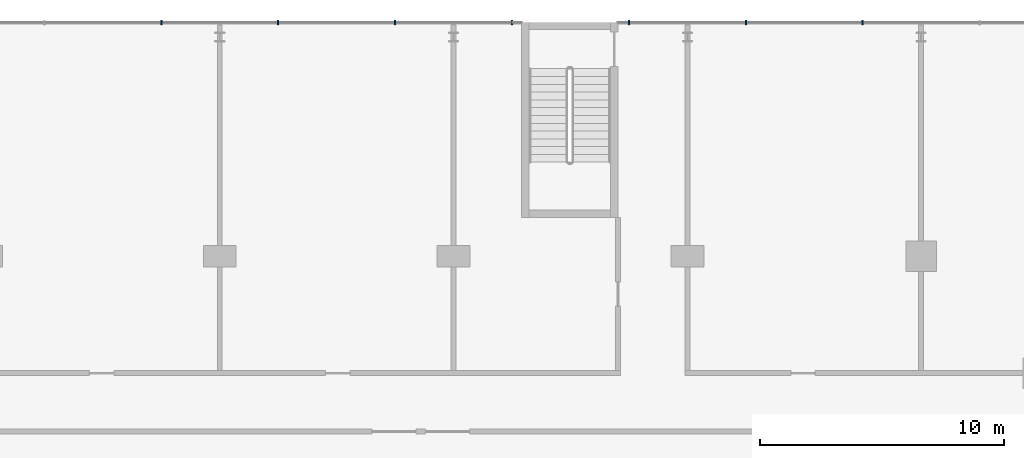
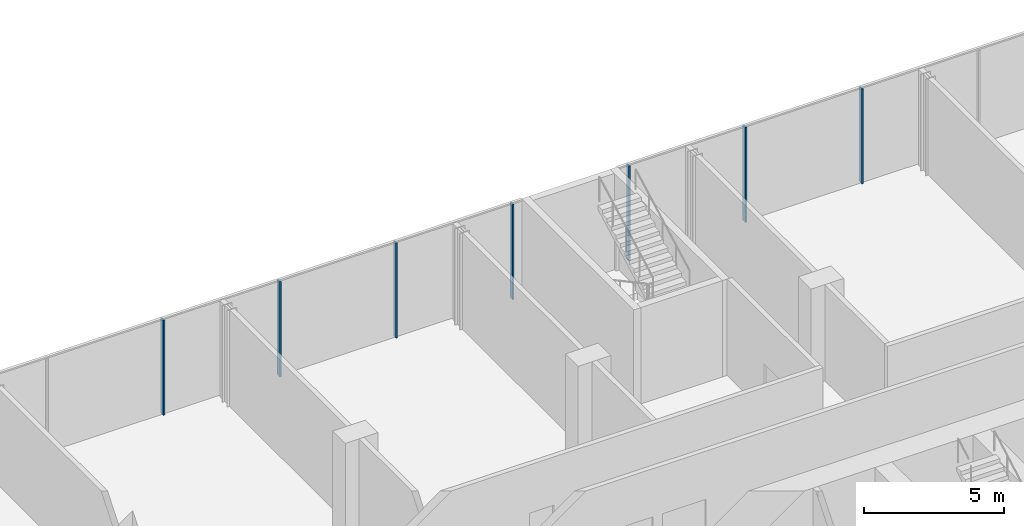
# One storey, part 17 of 43: 7 members, 1 element without a shape of its own.
"""IFC4 building model written with IfcOpenShell, lengths in metres."""

from ifc_helpers import new_model, si_unit, direction, frame, origin, origin_2d, place, context, subcontext, project, spatial, rectangle, extrude, material, layer, layer_set, material_profile, profile_set, type_object, element, aggregate, save


model = new_model("IFC4")

# Units and contexts
model_context = context("Model", 3, precision=1e-05, world=origin(), true_north=direction((0.0, 1.0)))
body_context = subcontext(model_context, "Body", "Model", "MODEL_VIEW")
ifc_project = project(units=[si_unit("LENGTHUNIT", "METRE"), si_unit("AREAUNIT", "SQUARE_METRE"), si_unit("VOLUMEUNIT", "CUBIC_METRE"), si_unit("PLANEANGLEUNIT", "RADIAN"), si_unit("MASSUNIT", "GRAM", prefix="KILO")], contexts=[model_context])

# Site, building, storey
site_placement = place(None, origin())
site = spatial("IfcSite", under=ifc_project, at=site_placement, CompositionType="ELEMENT")
building_placement = place(site_placement, origin())
building = spatial("IfcBuilding", under=site, at=building_placement, Name="Madar Terraces", CompositionType="ELEMENT")
storey_placement = place(building_placement, frame((0.0, 0.0, 10.5)))
storey = spatial("IfcBuildingStorey", under=building, at=storey_placement, Name="L02", CompositionType="ELEMENT", Elevation=10.5)

# Curtain wall, members
ifc_material_1 = material(Name="Glass, clear low-iron, with black aluminium frame", Category="aluminium")
ifc_layer = layer(ifc_material_1, 0.199951171875)
ifc_layer_set = layer_set([ifc_layer], Name="Facade curtain wall, shopfront glazing")
curtain_wall_type = type_object("IfcCurtainWallType", Name="Facade curtain wall, shopfront glazing", PredefinedType="NOTDEFINED", material=ifc_layer_set)
curtain_wall_placement = place(storey_placement, origin())
curtain_wall = element("IfcCurtainWall", 1, at=curtain_wall_placement, inside=storey, type_object=curtain_wall_type, Name="Outer skin curtain wall north bay 1", PredefinedType="NOTDEFINED")
ifc_material_2 = material(Name="Aluminium, black anodised", Category="aluminium")
ifc_material_profile = material_profile(ifc_material_2, rectangle(XDim=0.199951171875, YDim=0.06005859375, at=origin_2d()), Name="Facade mullion 60x200")
ifc_profile_set = profile_set([ifc_material_profile], Name="Aluminium, black anodised")
member_type = type_object("IfcMemberType", Name="Facade mullion 60x200", PredefinedType="MULLION", material=ifc_profile_set)
member_1_placement = place(storey_placement, frame((50.39990234375, 57.60009765625, 0.0), z_axis=(0.0, 0.0, 1.0), x_axis=(0.0, -1.0, 0.0)))
member_1 = element("IfcMember", 2, at=member_1_placement, type_object=member_type, Name="Mullion 3", PredefinedType="MULLION", context=body_context, shape_type="SweptSolid", body=[
    extrude(rectangle(XDim=0.199951171875, YDim=0.06005859375, at=origin_2d()), origin(), (0.0, 0.0, 1.0), 4.139892578125),
])
member_2_placement = place(storey_placement, frame((45.60009765625, 57.60009765625, 0.0), z_axis=(0.0, 0.0, 1.0), x_axis=(0.0, -1.0, 0.0)))
member_2 = element("IfcMember", 3, at=member_2_placement, type_object=member_type, Name="Mullion 4", PredefinedType="MULLION", context=body_context, shape_type="SweptSolid", body=[
    extrude(rectangle(XDim=0.199951171875, YDim=0.06005859375, at=origin_2d()), origin(), (0.0, 0.0, 1.0), 4.139892578125),
])
member_3_placement = place(storey_placement, frame((40.800048828125, 57.60009765625, 0.0), z_axis=(0.0, 0.0, 1.0), x_axis=(0.0, -1.0, 0.0)))
member_3 = element("IfcMember", 4, at=member_3_placement, type_object=member_type, Name="Mullion 5", PredefinedType="MULLION", context=body_context, shape_type="SweptSolid", body=[
    extrude(rectangle(XDim=0.199951171875, YDim=0.06005859375, at=origin_2d()), origin(), (0.0, 0.0, 1.0), 4.139892578125),
])
member_4_placement = place(storey_placement, frame((36.0, 57.60009765625, 0.0), z_axis=(0.0, 0.0, 1.0), x_axis=(0.0, -1.0, 0.0)))
member_4 = element("IfcMember", 5, at=member_4_placement, type_object=member_type, Name="Mullion 6", PredefinedType="MULLION", context=body_context, shape_type="SweptSolid", body=[
    extrude(rectangle(XDim=0.199951171875, YDim=0.06005859375, at=origin_2d()), origin(), (0.0, 0.0, 1.0), 4.139892578125),
])
member_5_placement = place(storey_placement, frame((31.199951171875, 57.60009765625, 0.0), z_axis=(0.0, 0.0, 1.0), x_axis=(0.0, -1.0, 0.0)))
member_5 = element("IfcMember", 6, at=member_5_placement, type_object=member_type, Name="Mullion 7", PredefinedType="MULLION", context=body_context, shape_type="SweptSolid", body=[
    extrude(rectangle(XDim=0.199951171875, YDim=0.06005859375, at=origin_2d()), origin(), (0.0, 0.0, 1.0), 4.139892578125),
])
member_6_placement = place(storey_placement, frame((26.39990234375, 57.60009765625, 0.0), z_axis=(0.0, 0.0, 1.0), x_axis=(0.0, -1.0, 0.0)))
member_6 = element("IfcMember", 7, at=member_6_placement, type_object=member_type, Name="Mullion 8", PredefinedType="MULLION", context=body_context, shape_type="SweptSolid", body=[
    extrude(rectangle(XDim=0.199951171875, YDim=0.06005859375, at=origin_2d()), origin(), (0.0, 0.0, 1.0), 4.139892578125),
])
member_7_placement = place(storey_placement, frame((21.60009765625, 57.60009765625, 0.0), z_axis=(0.0, 0.0, 1.0), x_axis=(0.0, -1.0, 0.0)))
member_7 = element("IfcMember", 8, at=member_7_placement, type_object=member_type, Name="Mullion 9", PredefinedType="MULLION", context=body_context, shape_type="SweptSolid", body=[
    extrude(rectangle(XDim=0.199951171875, YDim=0.06005859375, at=origin_2d()), origin(), (0.0, 0.0, 1.0), 4.139892578125),
])
aggregate(curtain_wall, [member_1, member_2, member_3, member_4, member_5, member_6, member_7])

save(model, "model.ifc")
